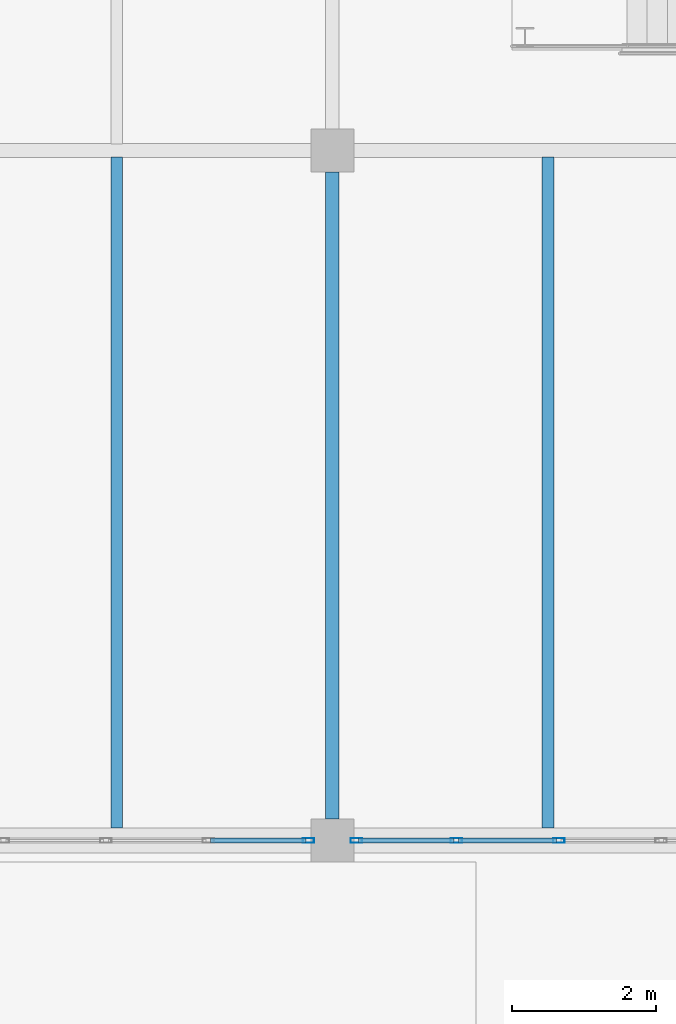
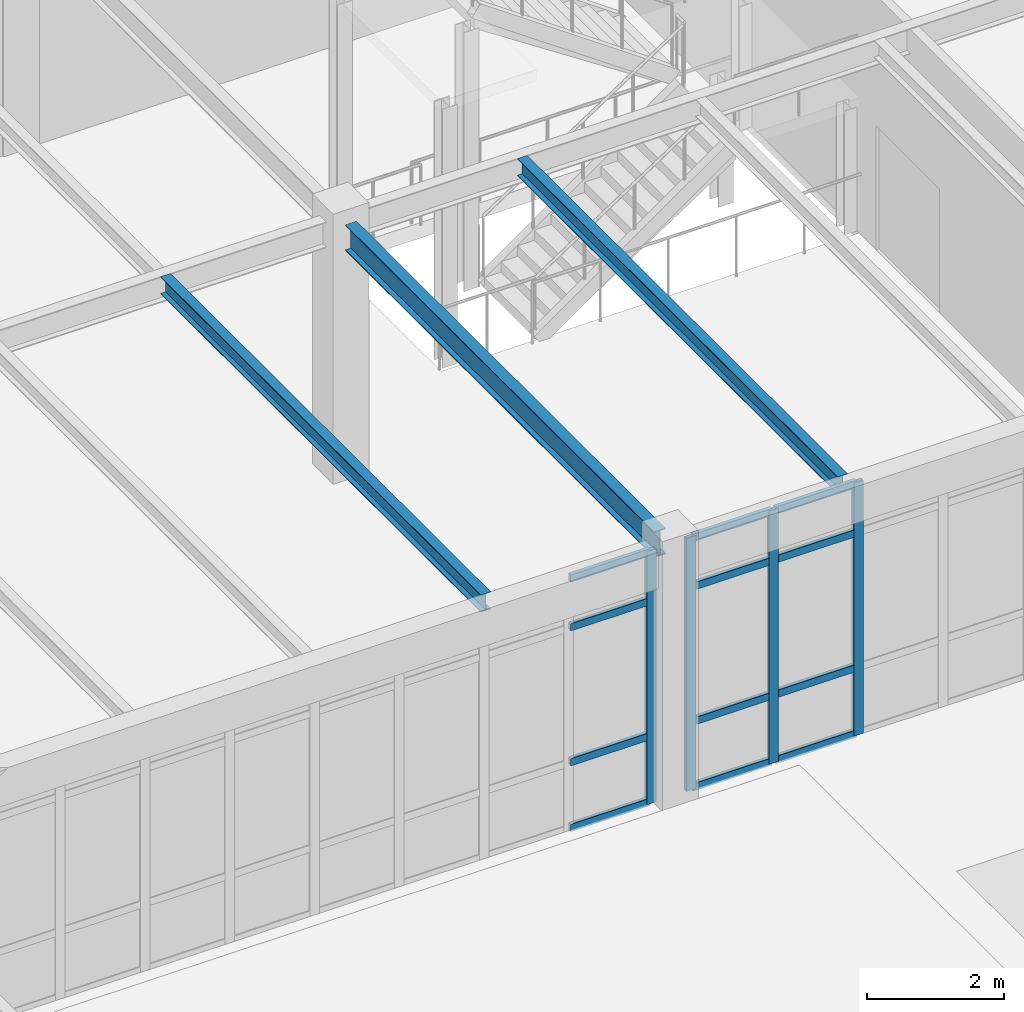
# One storey, part 115 of 236: 16 members, 3 beams, 2 elements without a shape of their own.
"""IFC4 building model written with IfcOpenShell, lengths in metres."""

from ifc_helpers import new_model, si_unit, direction, frame, origin, origin_2d, place, context, subcontext, project, spatial, hollow_rectangle, i_section, extrude, material, layer, layer_set, material_profile, profile_set, type_object, element, aggregate, save


model = new_model("IFC4")

# Units and contexts
model_context = context("Model", 3, precision=1e-05, world=origin(), true_north=direction((0.0, 1.0)))
body_context = subcontext(model_context, "Body", "Model", "MODEL_VIEW")
ifc_project = project(units=[si_unit("LENGTHUNIT", "METRE"), si_unit("AREAUNIT", "SQUARE_METRE"), si_unit("VOLUMEUNIT", "CUBIC_METRE"), si_unit("PLANEANGLEUNIT", "RADIAN"), si_unit("MASSUNIT", "GRAM", prefix="KILO")], contexts=[model_context])

# Site, building, storey
site_placement = place(None, origin())
site = spatial("IfcSite", under=ifc_project, at=site_placement, CompositionType="ELEMENT")
building_placement = place(site_placement, origin())
building = spatial("IfcBuilding", under=site, at=building_placement, Name="Pandanus Reach Market Hall", CompositionType="ELEMENT")
storey_placement = place(building_placement, frame((0.0, 0.0, 5.39990234375)))
storey = spatial("IfcBuildingStorey", under=building, at=storey_placement, Name="L01", CompositionType="ELEMENT", Elevation=5.39990234375)

# Beam
ifc_material_1 = material(Name="Steel Grade 350 (350 MPa)", Category="steel")
ifc_material_profile_1 = material_profile(ifc_material_1, i_section(OverallWidth=0.18994140625, OverallDepth=0.45703125, WebThickness=0.009033203125, FlangeThickness=0.014404296875, at=origin_2d()), Name="460UB74.6", Category="LoadBearing")
ifc_profile_set_1 = profile_set([ifc_material_profile_1], Name="Steel Grade 350 (350 MPa)")
beam_type_1 = type_object("IfcBeamType", Name="BM-UB460-I", PredefinedType="BEAM", material=ifc_profile_set_1)
beam_placement = place(storey_placement, frame((156.0, 9.89794921875, 4.311279296875), z_axis=(0.0, 1.0, 0.0), x_axis=(-1.0, 0.0, 0.0)))
element("IfcBeam", 1, at=beam_placement, inside=storey, type_object=beam_type_1, Name="Framing beam BM-UB460-I L01.345", PredefinedType="BEAM", context=body_context, shape_type="SweptSolid", body=[
    extrude(i_section(OverallWidth=0.18994140625, OverallDepth=0.45703125, WebThickness=0.009033203125, FlangeThickness=0.014404296875, at=origin_2d()), origin(), (0.0, 0.0, 1.0), 9.004150390625),
])

# Curtain wall, member
ifc_material_2 = material(Name="Bronze anodised aluminium and low-E glass", Category="aluminium")
ifc_layer = layer(ifc_material_2, 0.159912109375, Name="CW-27")
ifc_layer_set = layer_set([ifc_layer], Name="Bronze anodised aluminium and low-E glass")
curtain_wall_type = type_object("IfcCurtainWallType", Name="CW-27", PredefinedType="NOTDEFINED", material=ifc_layer_set)
curtain_wall_1_placement = place(storey_placement, origin())
curtain_wall_1 = element("IfcCurtainWall", 2, at=curtain_wall_1_placement, inside=storey, type_object=curtain_wall_type, Name="Glazed curtain wall CW-27 CW-0082", PredefinedType="NOTDEFINED")
ifc_material_3 = material(Name="Bronze anodised aluminium", Category="aluminium")
ifc_material_profile_2 = material_profile(ifc_material_3, hollow_rectangle(XDim=0.06494140625, YDim=0.159912109375, WallThickness=0.00390625, at=origin_2d()), Name="ALU65x160", Category="LoadBearing")
ifc_profile_set_2 = profile_set([ifc_material_profile_2], Name="Bronze anodised aluminium")
member_type_1 = type_object("IfcMemberType", Name="CW-M1", PredefinedType="MULLION", material=ifc_profile_set_2)
member_1_placement = place(storey_placement, frame((155.66748046875, 9.60009765625, 0.0), z_axis=(0.0, 0.0, 1.0), x_axis=(0.0, 1.0, 0.0)))
member_1 = element("IfcMember", 3, at=member_1_placement, type_object=member_type_1, Name="CW-27 mullion 9", PredefinedType="MULLION", context=body_context, shape_type="SweptSolid", body=[
    extrude(hollow_rectangle(XDim=0.06494140625, YDim=0.159912109375, WallThickness=0.00390625, at=origin_2d()), origin(), (0.0, 0.0, 1.0), 4.5),
])

# Curtain wall, members
curtain_wall_2_placement = place(storey_placement, origin())
curtain_wall_2 = element("IfcCurtainWall", 4, at=curtain_wall_2_placement, inside=storey, type_object=curtain_wall_type, Name="Glazed curtain wall CW-27 CW-0083", PredefinedType="NOTDEFINED")
member_2_placement = place(storey_placement, frame((156.33251953125, 9.60009765625, 0.0), z_axis=(0.0, 0.0, 1.0), x_axis=(0.0, 1.0, 0.0)))
member_2 = element("IfcMember", 5, at=member_2_placement, type_object=member_type_1, Name="CW-27 mullion 1", PredefinedType="MULLION", context=body_context, shape_type="SweptSolid", body=[
    extrude(hollow_rectangle(XDim=0.06494140625, YDim=0.159912109375, WallThickness=0.00390625, at=origin_2d()), origin(), (0.0, 0.0, 1.0), 4.5),
])
member_3_placement = place(storey_placement, frame((157.72509765625, 9.60009765625, 0.0), z_axis=(0.0, 0.0, 1.0), x_axis=(0.0, 1.0, 0.0)))
member_3 = element("IfcMember", 6, at=member_3_placement, type_object=member_type_1, Name="CW-27 mullion 2", PredefinedType="MULLION", context=body_context, shape_type="SweptSolid", body=[
    extrude(hollow_rectangle(XDim=0.06494140625, YDim=0.159912109375, WallThickness=0.00390625, at=origin_2d()), origin(), (0.0, 0.0, 1.0), 4.5),
])
member_4_placement = place(storey_placement, frame((159.14990234375, 9.60009765625, 0.0), z_axis=(0.0, 0.0, 1.0), x_axis=(0.0, 1.0, 0.0)))
member_4 = element("IfcMember", 7, at=member_4_placement, type_object=member_type_1, Name="CW-27 mullion 3", PredefinedType="MULLION", context=body_context, shape_type="SweptSolid", body=[
    extrude(hollow_rectangle(XDim=0.06494140625, YDim=0.159912109375, WallThickness=0.00390625, at=origin_2d()), origin(), (0.0, 0.0, 1.0), 4.5),
])

# Member
ifc_material_profile_3 = material_profile(ifc_material_3, hollow_rectangle(XDim=0.06494140625, YDim=0.1298828125, WallThickness=0.00390625, at=origin_2d()), Name="ALU65x130", Category="LoadBearing")
ifc_profile_set_3 = profile_set([ifc_material_profile_3], Name="Bronze anodised aluminium")
member_type_2 = type_object("IfcMemberType", Name="CW-T1", PredefinedType="USERDEFINED", material=ifc_profile_set_3)
member_5_placement = place(storey_placement, frame((154.3076171875, 9.60009765625, 0.03271484375), z_axis=(1.0, 0.0, 0.0), x_axis=(0.0, 1.0, 0.0)))
member_5 = element("IfcMember", 8, at=member_5_placement, type_object=member_type_2, Name="CW-27 transom 8.1", ObjectType="TRANSOM", PredefinedType="USERDEFINED", context=body_context, shape_type="SweptSolid", body=[
    extrude(hollow_rectangle(XDim=0.06494140625, YDim=0.1298828125, WallThickness=0.00390625, at=origin_2d()), origin(), (0.0, 0.0, 1.0), 1.327392578125),
])

member_6_placement = place(storey_placement, frame((154.3076171875, 9.60009765625, 1.2001953125), z_axis=(1.0, 0.0, 0.0), x_axis=(0.0, 1.0, 0.0)))
member_6 = element("IfcMember", 9, at=member_6_placement, type_object=member_type_2, Name="CW-27 transom 8.2", ObjectType="TRANSOM", PredefinedType="USERDEFINED", context=body_context, shape_type="SweptSolid", body=[
    extrude(hollow_rectangle(XDim=0.06494140625, YDim=0.1298828125, WallThickness=0.00390625, at=origin_2d()), origin(), (0.0, 0.0, 1.0), 1.327392578125),
])

member_7_placement = place(storey_placement, frame((154.3076171875, 9.60009765625, 3.60009765625), z_axis=(1.0, 0.0, 0.0), x_axis=(0.0, 1.0, 0.0)))
member_7 = element("IfcMember", 10, at=member_7_placement, type_object=member_type_2, Name="CW-27 transom 8.3", ObjectType="TRANSOM", PredefinedType="USERDEFINED", context=body_context, shape_type="SweptSolid", body=[
    extrude(hollow_rectangle(XDim=0.06494140625, YDim=0.1298828125, WallThickness=0.00390625, at=origin_2d()), origin(), (0.0, 0.0, 1.0), 1.327392578125),
])

member_8_placement = place(storey_placement, frame((154.3076171875, 9.60009765625, 4.467529296875), z_axis=(1.0, 0.0, 0.0), x_axis=(0.0, 1.0, 0.0)))
member_8 = element("IfcMember", 11, at=member_8_placement, type_object=member_type_2, Name="CW-27 transom 8.4", ObjectType="TRANSOM", PredefinedType="USERDEFINED", context=body_context, shape_type="SweptSolid", body=[
    extrude(hollow_rectangle(XDim=0.06494140625, YDim=0.1298828125, WallThickness=0.00390625, at=origin_2d()), origin(), (0.0, 0.0, 1.0), 1.327392578125),
])

aggregate(curtain_wall_1, [member_1, member_5, member_6, member_7, member_8])

member_9_placement = place(storey_placement, frame((156.364990234375, 9.60009765625, 0.03271484375), z_axis=(1.0, 0.0, 0.0), x_axis=(0.0, 1.0, 0.0)))
member_9 = element("IfcMember", 12, at=member_9_placement, type_object=member_type_2, Name="CW-27 transom 1.1", ObjectType="TRANSOM", PredefinedType="USERDEFINED", context=body_context, shape_type="SweptSolid", body=[
    extrude(hollow_rectangle(XDim=0.06494140625, YDim=0.1298828125, WallThickness=0.00390625, at=origin_2d()), origin(), (0.0, 0.0, 1.0), 1.327392578125),
])

member_10_placement = place(storey_placement, frame((156.364990234375, 9.60009765625, 1.2001953125), z_axis=(1.0, 0.0, 0.0), x_axis=(0.0, 1.0, 0.0)))
member_10 = element("IfcMember", 13, at=member_10_placement, type_object=member_type_2, Name="CW-27 transom 1.2", ObjectType="TRANSOM", PredefinedType="USERDEFINED", context=body_context, shape_type="SweptSolid", body=[
    extrude(hollow_rectangle(XDim=0.06494140625, YDim=0.1298828125, WallThickness=0.00390625, at=origin_2d()), origin(), (0.0, 0.0, 1.0), 1.327392578125),
])

member_11_placement = place(storey_placement, frame((156.364990234375, 9.60009765625, 3.60009765625), z_axis=(1.0, 0.0, 0.0), x_axis=(0.0, 1.0, 0.0)))
member_11 = element("IfcMember", 14, at=member_11_placement, type_object=member_type_2, Name="CW-27 transom 1.3", ObjectType="TRANSOM", PredefinedType="USERDEFINED", context=body_context, shape_type="SweptSolid", body=[
    extrude(hollow_rectangle(XDim=0.06494140625, YDim=0.1298828125, WallThickness=0.00390625, at=origin_2d()), origin(), (0.0, 0.0, 1.0), 1.327392578125),
])

member_12_placement = place(storey_placement, frame((156.364990234375, 9.60009765625, 4.467529296875), z_axis=(1.0, 0.0, 0.0), x_axis=(0.0, 1.0, 0.0)))
member_12 = element("IfcMember", 15, at=member_12_placement, type_object=member_type_2, Name="CW-27 transom 1.4", ObjectType="TRANSOM", PredefinedType="USERDEFINED", context=body_context, shape_type="SweptSolid", body=[
    extrude(hollow_rectangle(XDim=0.06494140625, YDim=0.1298828125, WallThickness=0.00390625, at=origin_2d()), origin(), (0.0, 0.0, 1.0), 1.327392578125),
])

member_13_placement = place(storey_placement, frame((157.757568359375, 9.60009765625, 0.03271484375), z_axis=(1.0, 0.0, 0.0), x_axis=(0.0, 1.0, 0.0)))
member_13 = element("IfcMember", 16, at=member_13_placement, type_object=member_type_2, Name="CW-27 transom 2.1", ObjectType="TRANSOM", PredefinedType="USERDEFINED", context=body_context, shape_type="SweptSolid", body=[
    extrude(hollow_rectangle(XDim=0.06494140625, YDim=0.1298828125, WallThickness=0.00390625, at=origin_2d()), origin(), (0.0, 0.0, 1.0), 1.35986328125),
])

member_14_placement = place(storey_placement, frame((157.757568359375, 9.60009765625, 1.2001953125), z_axis=(1.0, 0.0, 0.0), x_axis=(0.0, 1.0, 0.0)))
member_14 = element("IfcMember", 17, at=member_14_placement, type_object=member_type_2, Name="CW-27 transom 2.2", ObjectType="TRANSOM", PredefinedType="USERDEFINED", context=body_context, shape_type="SweptSolid", body=[
    extrude(hollow_rectangle(XDim=0.06494140625, YDim=0.1298828125, WallThickness=0.00390625, at=origin_2d()), origin(), (0.0, 0.0, 1.0), 1.35986328125),
])

member_15_placement = place(storey_placement, frame((157.757568359375, 9.60009765625, 3.60009765625), z_axis=(1.0, 0.0, 0.0), x_axis=(0.0, 1.0, 0.0)))
member_15 = element("IfcMember", 18, at=member_15_placement, type_object=member_type_2, Name="CW-27 transom 2.3", ObjectType="TRANSOM", PredefinedType="USERDEFINED", context=body_context, shape_type="SweptSolid", body=[
    extrude(hollow_rectangle(XDim=0.06494140625, YDim=0.1298828125, WallThickness=0.00390625, at=origin_2d()), origin(), (0.0, 0.0, 1.0), 1.35986328125),
])

member_16_placement = place(storey_placement, frame((157.757568359375, 9.60009765625, 4.467529296875), z_axis=(1.0, 0.0, 0.0), x_axis=(0.0, 1.0, 0.0)))
member_16 = element("IfcMember", 19, at=member_16_placement, type_object=member_type_2, Name="CW-27 transom 2.4", ObjectType="TRANSOM", PredefinedType="USERDEFINED", context=body_context, shape_type="SweptSolid", body=[
    extrude(hollow_rectangle(XDim=0.06494140625, YDim=0.1298828125, WallThickness=0.00390625, at=origin_2d()), origin(), (0.0, 0.0, 1.0), 1.35986328125),
])

aggregate(curtain_wall_2, [member_2, member_3, member_4, member_9, member_10, member_11, member_12, member_13, member_14, member_15, member_16])

# Beams
ifc_material_profile_4 = material_profile(ifc_material_1, i_section(OverallWidth=0.166015625, OverallDepth=0.306884765625, WebThickness=0.006591796875, FlangeThickness=0.01171875, at=origin_2d()), Name="310UB46.2", Category="LoadBearing")
ifc_profile_set_4 = profile_set([ifc_material_profile_4], Name="Steel Grade 350 (350 MPa)")
beam_type_2 = type_object("IfcBeamType", Name="JS-UB310H-I", PredefinedType="JOIST", material=ifc_profile_set_4)
for number, where, z_axis, x_axis, name in (
    (20, (153.0, 9.77294921875, 4.38623046875), (0.0, 1.0, 0.0), (-1.0, 0.0, 0.0), "Secondary joist JS-UB310H-I L01.374"),
    (21, (159.0, 9.77294921875, 4.38623046875), (0.0, 1.0, 0.0), (-1.0, 0.0, 0.0), "Secondary joist JS-UB310H-I L01.396"),
):
    element("IfcBeam", number, at=place(storey_placement, frame(where, z_axis=z_axis, x_axis=x_axis)), inside=storey, type_object=beam_type_2, Name=name, PredefinedType="JOIST", context=body_context, shape_type="SweptSolid", body=[
        extrude(i_section(OverallWidth=0.166015625, OverallDepth=0.306884765625, WebThickness=0.006591796875, FlangeThickness=0.01171875, at=origin_2d()), origin(), (0.0, 0.0, 1.0), 9.333984375),
    ])

save(model, "model.ifc")
